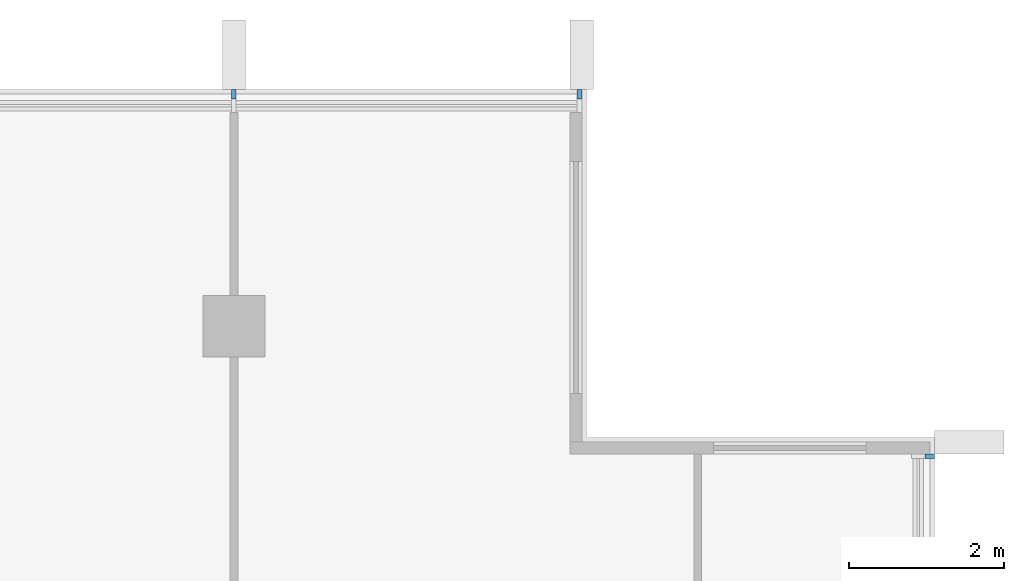
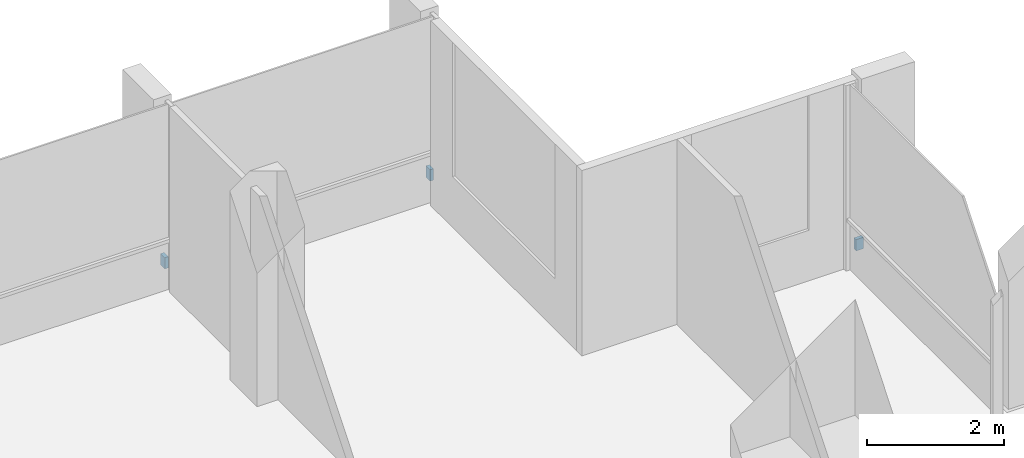
# One storey, part 14 of 15: 3 discrete accessories.
"""IFC4 building model written with IfcOpenShell, lengths in metres."""

from ifc_helpers import new_model, si_unit, direction, frame, origin, origin_2d, place, context, subcontext, project, spatial, rectangle, extrude, material, type_object, element, save


model = new_model("IFC4")

# Units and contexts
model_context = context("Model", 3, precision=1e-05, world=origin(), true_north=direction((0.0, 1.0)))
body_context = subcontext(model_context, "Body", "Model", "MODEL_VIEW")
ifc_project = project(units=[si_unit("LENGTHUNIT", "METRE"), si_unit("AREAUNIT", "SQUARE_METRE"), si_unit("VOLUMEUNIT", "CUBIC_METRE"), si_unit("PLANEANGLEUNIT", "RADIAN"), si_unit("MASSUNIT", "GRAM", prefix="KILO")], contexts=[model_context])

# Site, building, storey
site_placement = place(None, origin())
site = spatial("IfcSite", under=ifc_project, at=site_placement, CompositionType="ELEMENT")
building_placement = place(site_placement, origin())
building = spatial("IfcBuilding", under=site, at=building_placement, Name="Finial Court Residences", CompositionType="ELEMENT")
storey_placement = place(building_placement, frame((0.0, 0.0, 226.699951171875)))
storey = spatial("IfcBuildingStorey", under=building, at=storey_placement, Name="L57", CompositionType="ELEMENT", Elevation=226.699951171875)

# Discrete accessories
ifc_material = material(Name="Stainless steel 316", Category="steel")
discrete_accessory_type = type_object("IfcDiscreteAccessoryType", Name="Fin bracket, stainless steel 60 x 122 x 200", PredefinedType="BRACKET", material=ifc_material)
for number, where, z_axis, x_axis, name in (
    (1, (10.5, 16.498779296875, 0.30029296875), (0.0, 0.0, 1.0), (1.0, 0.0, 0.0), "E-L57-FIN-N5-BRK"),
    (2, (14.969970703125, 16.498779296875, 0.30029296875), (0.0, 0.0, 1.0), (1.0, 0.0, 0.0), "E-L57-FIN-N6-BRK"),
):
    element("IfcDiscreteAccessory", number, at=place(storey_placement, frame(where, z_axis=z_axis, x_axis=x_axis)), inside=storey, type_object=discrete_accessory_type, Name=name, PredefinedType="BRACKET", context=body_context, shape_type="SweptSolid", body=[
        extrude(rectangle(XDim=0.06005859375, YDim=0.12255859375, at=origin_2d()), origin(), (0.0, 0.0, 1.0), 0.199951171875),
    ])
discrete_accessory_placement = place(storey_placement, frame((19.498779296875, 11.820068359375, 0.30029296875), z_axis=(0.0, 0.0, 1.0), x_axis=(1.0, 0.0, 0.0)))
element("IfcDiscreteAccessory", 3, at=discrete_accessory_placement, inside=storey, type_object=discrete_accessory_type, Name="E-L57-FIN-E12-BRK", PredefinedType="BRACKET", context=body_context, shape_type="SweptSolid", body=[
    extrude(rectangle(XDim=0.12255859375, YDim=0.06005859375, at=origin_2d()), origin(), (0.0, 0.0, 1.0), 0.199951171875),
])

save(model, "model.ifc")
